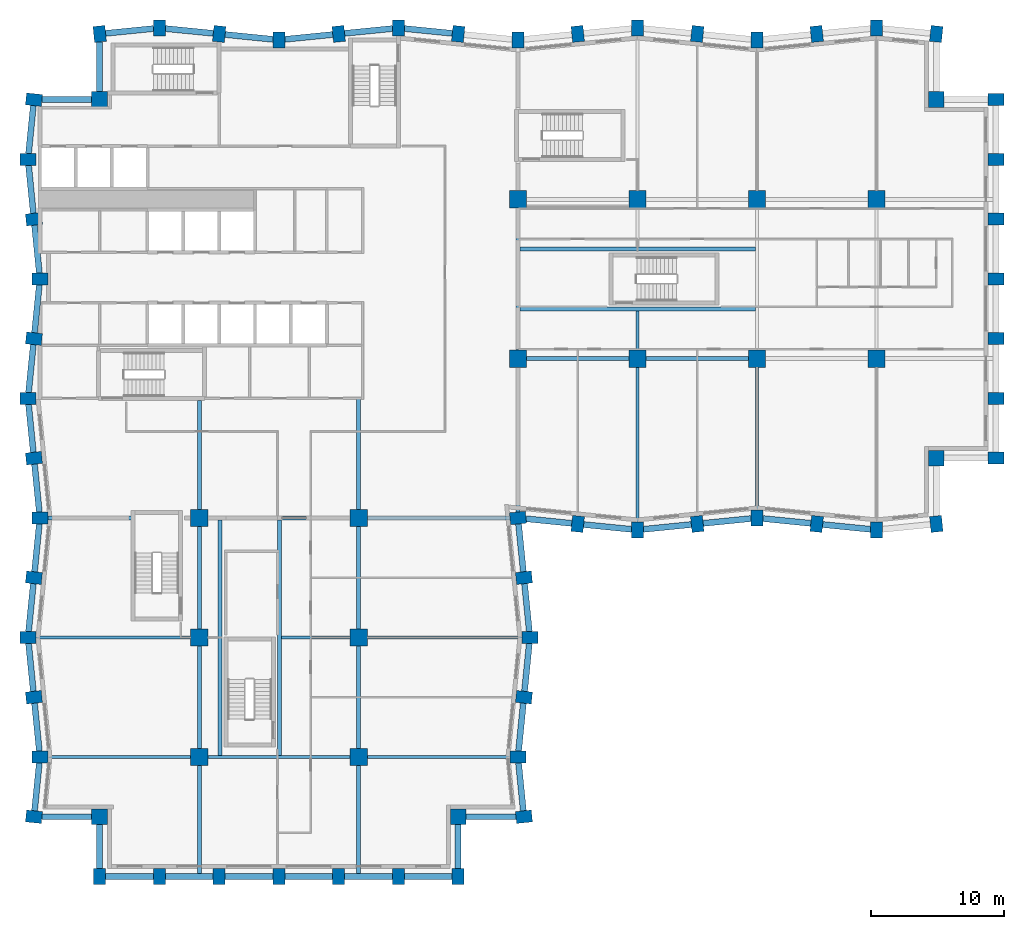
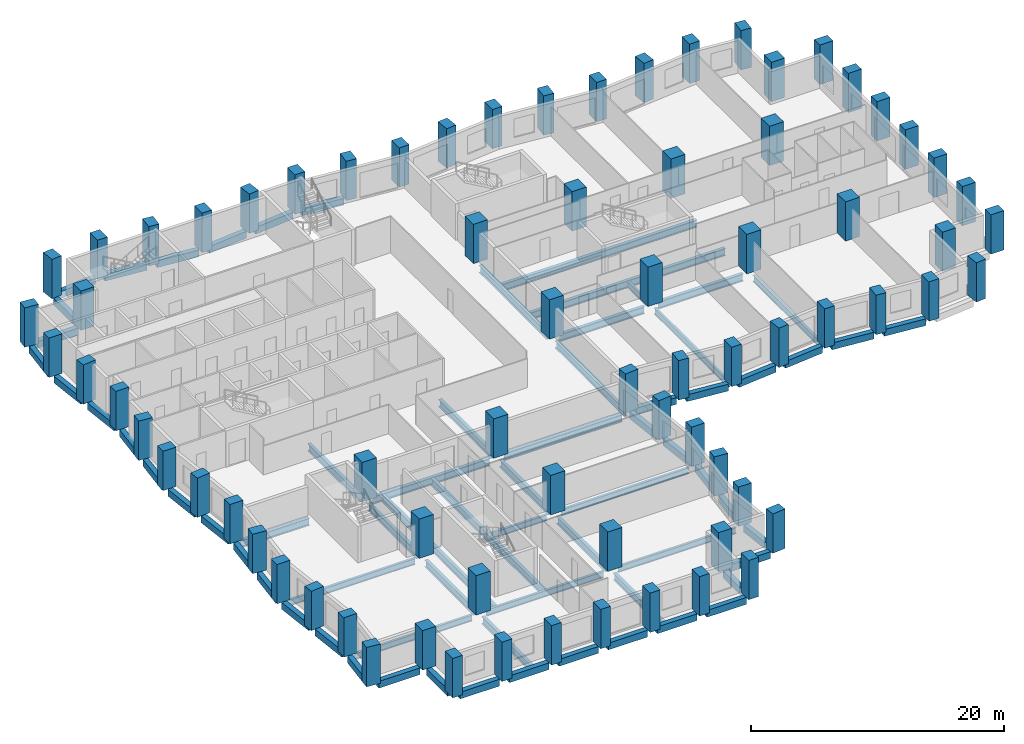
# One storey, part 1 of 11: 74 columns, 69 beams.
"""IFC4 building model written with IfcOpenShell, lengths in metres."""

from ifc_helpers import new_model, si_unit, direction, frame, origin, origin_2d, place, context, subcontext, project, spatial, rectangle, i_section, extrude, material, material_profile, profile_set, type_object, element, save


model = new_model("IFC4")

# Units and contexts
model_context = context("Model", 3, precision=1e-05, world=origin(), true_north=direction((0.0, 1.0)))
body_context = subcontext(model_context, "Body", "Model", "MODEL_VIEW")
ifc_project = project(units=[si_unit("LENGTHUNIT", "METRE"), si_unit("AREAUNIT", "SQUARE_METRE"), si_unit("VOLUMEUNIT", "CUBIC_METRE"), si_unit("PLANEANGLEUNIT", "RADIAN"), si_unit("MASSUNIT", "GRAM", prefix="KILO")], contexts=[model_context])

# Site, building, storey
site_placement = place(None, origin())
site = spatial("IfcSite", under=ifc_project, at=site_placement, CompositionType="ELEMENT")
building_placement = place(site_placement, origin())
building = spatial("IfcBuilding", under=site, at=building_placement, Name="Brondeck Convention Tower", CompositionType="ELEMENT")
storey_placement = place(building_placement, frame((0.0, 0.0, 126.5)))
storey = spatial("IfcBuildingStorey", under=building, at=storey_placement, Name="L30", CompositionType="ELEMENT", Elevation=126.5)

# Columns
ifc_material_1 = material(Name="Concrete C70/85", Category="concrete")
ifc_material_profile_1 = material_profile(ifc_material_1, rectangle(XDim=1.199951171875, YDim=1.199951171875, at=origin_2d()), Name="Corner column 1200x1200 Concrete C70/85")
ifc_profile_set_1 = profile_set([ifc_material_profile_1], Name="Concrete C70/85")
column_type_1 = type_object("IfcColumnType", Name="Corner column 1200x1200 Concrete C70/85", PredefinedType="COLUMN", material=ifc_profile_set_1)
for number, where, z_axis, x_axis, name in (
    (1, (4.5, 4.5, 0.0), (0.0, 0.0, 1.0), (1.0, 0.0, 0.0), "STR-COL-L30-NC-SWB0"),
    (2, (31.5, 4.5, 0.0), (0.0, 0.0, 1.0), (1.0, 0.0, 0.0), "STR-COL-L30-NC-SEB0"),
    (3, (67.5, 31.5, 0.0), (0.0, 0.0, 1.0), (1.0, 0.0, 0.0), "STR-COL-L30-NC-SEA72"),
    (4, (67.5, 58.5, 0.0), (0.0, 0.0, 1.0), (1.0, 0.0, 0.0), "STR-COL-L30-NC-NEA72"),
    (5, (4.5, 58.5, 0.0), (0.0, 0.0, 1.0), (1.0, 0.0, 0.0), "STR-COL-L30-NC-NW"),
):
    element("IfcColumn", number, at=place(storey_placement, frame(where, z_axis=z_axis, x_axis=x_axis)), inside=storey, type_object=column_type_1, Name=name, PredefinedType="COLUMN", context=body_context, shape_type="SweptSolid", body=[
        extrude(rectangle(XDim=1.199951171875, YDim=1.199951171875, at=origin_2d()), origin(), (0.0, 0.0, 1.0), 3.800048828125),
    ])
ifc_material_profile_2 = material_profile(ifc_material_1, rectangle(XDim=1.300048828125, YDim=1.300048828125, at=origin_2d()), Name="Interior column 1300x1300 Concrete C70/85")
ifc_profile_set_2 = profile_set([ifc_material_profile_2], Name="Concrete C70/85")
column_type_2 = type_object("IfcColumnType", Name="Interior column 1300x1300 Concrete C70/85", PredefinedType="COLUMN", material=ifc_profile_set_2)
for number, where, z_axis, x_axis, name in (
    (6, (12.0, 9.0, 0.0), (0.0, 0.0, 1.0), (1.0, 0.0, 0.0), "STR-COL-L30-IC-01"),
    (7, (12.0, 18.0, 0.0), (0.0, 0.0, 1.0), (1.0, 0.0, 0.0), "STR-COL-L30-IC-02"),
    (8, (12.0, 27.0, 0.0), (0.0, 0.0, 1.0), (1.0, 0.0, 0.0), "STR-COL-L30-IC-03"),
    (9, (24.0, 9.0, 0.0), (0.0, 0.0, 1.0), (1.0, 0.0, 0.0), "STR-COL-L30-IC-04"),
    (10, (24.0, 18.0, 0.0), (0.0, 0.0, 1.0), (1.0, 0.0, 0.0), "STR-COL-L30-IC-05"),
    (11, (24.0, 27.0, 0.0), (0.0, 0.0, 1.0), (1.0, 0.0, 0.0), "STR-COL-L30-IC-06"),
    (12, (36.0, 39.0, 0.0), (0.0, 0.0, 1.0), (1.0, 0.0, 0.0), "STR-COL-L30-IC-07"),
    (13, (36.0, 51.0, 0.0), (0.0, 0.0, 1.0), (1.0, 0.0, 0.0), "STR-COL-L30-IC-08"),
    (14, (45.0, 39.0, 0.0), (0.0, 0.0, 1.0), (1.0, 0.0, 0.0), "STR-COL-L30-IC-09"),
    (15, (45.0, 51.0, 0.0), (0.0, 0.0, 1.0), (1.0, 0.0, 0.0), "STR-COL-L30-IC-10"),
    (16, (54.0, 39.0, 0.0), (0.0, 0.0, 1.0), (1.0, 0.0, 0.0), "STR-COL-L30-IC-11"),
    (17, (54.0, 51.0, 0.0), (0.0, 0.0, 1.0), (1.0, 0.0, 0.0), "STR-COL-L30-IC-12"),
    (18, (63.0, 39.0, 0.0), (0.0, 0.0, 1.0), (1.0, 0.0, 0.0), "STR-COL-L30-IC-13"),
    (19, (63.0, 51.0, 0.0), (0.0, 0.0, 1.0), (1.0, 0.0, 0.0), "STR-COL-L30-IC-14"),
):
    element("IfcColumn", number, at=place(storey_placement, frame(where, z_axis=z_axis, x_axis=x_axis)), inside=storey, type_object=column_type_2, Name=name, PredefinedType="COLUMN", context=body_context, shape_type="SweptSolid", body=[
        extrude(rectangle(XDim=1.300048828125, YDim=1.300048828125, at=origin_2d()), origin(), (0.0, 0.0, 1.0), 3.800048828125),
    ])
ifc_material_profile_3 = material_profile(ifc_material_1, rectangle(XDim=0.89990234375, YDim=1.199951171875, at=origin_2d()), Name="Perimeter pier 900x1200 Concrete C70/85")
ifc_profile_set_3 = profile_set([ifc_material_profile_3], Name="Concrete C70/85")
column_type_3 = type_object("IfcColumnType", Name="Perimeter pier 900x1200 Concrete C70/85", PredefinedType="COLUMN", material=ifc_profile_set_3)
for number, where, z_axis, x_axis, name in (
    (20, (4.5, 0.0, 0.0), (0.0, 0.0, 1.0), (1.0, 0.0, 0.0), "STR-COL-L30-PC-B-S0-01"),
    (21, (9.0, 0.0, 0.0), (0.0, 0.0, 1.0), (1.0, 0.0, 0.0), "STR-COL-L30-PC-B-S0-02"),
    (22, (13.5, 0.0, 0.0), (0.0, 0.0, 1.0), (1.0, 0.0, 0.0), "STR-COL-L30-PC-B-S0-03"),
    (23, (18.0, 0.0, 0.0), (0.0, 0.0, 1.0), (1.0, 0.0, 0.0), "STR-COL-L30-PC-B-S0-04"),
    (24, (22.5, 0.0, 0.0), (0.0, 0.0, 1.0), (1.0, 0.0, 0.0), "STR-COL-L30-PC-B-S0-05"),
    (25, (27.0, 0.0, 0.0), (0.0, 0.0, 1.0), (1.0, 0.0, 0.0), "STR-COL-L30-PC-B-S0-06"),
    (26, (31.5, 0.0, 0.0), (0.0, 0.0, 1.0), (1.0, 0.0, 0.0), "STR-COL-L30-PC-B-S0-07"),
    (27, (36.449951171875, 4.5, 0.0), (0.0, 0.0, 1.0), (-0.0995038382, 0.995037178292, 0.0), "STR-COL-L30-PC-B-E-05"),
    (28, (36.0, 9.0, 0.0), (0.0, 0.0, 1.0), (0.0, 1.0, 0.0), "STR-COL-L30-PC-B-E-04"),
    (29, (36.449951171875, 13.5, 0.0), (0.0, 0.0, 1.0), (0.0995038382, 0.995037178292, 0.0), "STR-COL-L30-PC-B-E-03"),
    (30, (36.89990234375, 18.0, 0.0), (0.0, 0.0, 1.0), (0.0, 1.0, 0.0), "STR-COL-L30-PC-B-E-02"),
    (31, (36.449951171875, 22.5, 0.0), (0.0, 0.0, 1.0), (-0.0995038382, 0.995037178292, 0.0), "STR-COL-L30-PC-B-E-01"),
    (32, (36.0, 27.0, 0.0), (0.0, 0.0, 1.0), (-0.0995038382, 0.995037178292, 0.0), "STR-COL-L30-PC-B-E-00"),
    (33, (40.5, 26.550048828125, 0.0), (0.0, 0.0, 1.0), (0.995037178292, -0.0995038382, 0.0), "STR-COL-L30-PC-A-S-01"),
    (34, (45.0, 26.10009765625, 0.0), (0.0, 0.0, 1.0), (1.0, 0.0, 0.0), "STR-COL-L30-PC-A-S-02"),
    (35, (49.5, 26.550048828125, 0.0), (0.0, 0.0, 1.0), (0.995037178292, 0.0995038382, 0.0), "STR-COL-L30-PC-A-S-03"),
    (36, (54.0, 27.0, 0.0), (0.0, 0.0, 1.0), (1.0, 0.0, 0.0), "STR-COL-L30-PC-A-S-04"),
    (37, (58.5, 26.550048828125, 0.0), (0.0, 0.0, 1.0), (0.995037178292, -0.0995038382, 0.0), "STR-COL-L30-PC-A-S-05"),
    (38, (63.0, 26.10009765625, 0.0), (0.0, 0.0, 1.0), (1.0, 0.0, 0.0), "STR-COL-L30-PC-A-S-06"),
    (39, (67.5, 26.550048828125, 0.0), (0.0, 0.0, 1.0), (0.995037178292, 0.0995038382, 0.0), "STR-COL-L30-PC-A-S-07"),
    (40, (72.0, 31.5, 0.0), (0.0, 0.0, 1.0), (0.0, 1.0, 0.0), "STR-COL-L30-PC-A-E72-01"),
    (41, (72.0, 36.0, 0.0), (0.0, 0.0, 1.0), (0.0, 1.0, 0.0), "STR-COL-L30-PC-A-E72-02"),
    (42, (72.0, 40.5, 0.0), (0.0, 0.0, 1.0), (0.0, 1.0, 0.0), "STR-COL-L30-PC-A-E72-03"),
    (43, (72.0, 45.0, 0.0), (0.0, 0.0, 1.0), (0.0, 1.0, 0.0), "STR-COL-L30-PC-A-E72-04"),
    (44, (72.0, 49.5, 0.0), (0.0, 0.0, 1.0), (0.0, 1.0, 0.0), "STR-COL-L30-PC-A-E72-05"),
    (45, (72.0, 54.0, 0.0), (0.0, 0.0, 1.0), (0.0, 1.0, 0.0), "STR-COL-L30-PC-A-E72-06"),
    (46, (72.0, 58.5, 0.0), (0.0, 0.0, 1.0), (0.0, 1.0, 0.0), "STR-COL-L30-PC-A-E72-07"),
    (47, (67.5, 63.449951171875, 0.0), (0.0, 0.0, 1.0), (-0.995037178292, 0.0995038382, 0.0), "STR-COL-L30-PC-A-N-15"),
    (48, (63.0, 63.89990234375, 0.0), (0.0, 0.0, 1.0), (-1.0, 0.0, 0.0), "STR-COL-L30-PC-A-N-14"),
    (49, (58.5, 63.449951171875, 0.0), (0.0, 0.0, 1.0), (-0.995037178292, -0.0995038382, 0.0), "STR-COL-L30-PC-A-N-13"),
    (50, (54.0, 63.0, 0.0), (0.0, 0.0, 1.0), (-1.0, 0.0, 0.0), "STR-COL-L30-PC-A-N-12"),
    (51, (49.5, 63.449951171875, 0.0), (0.0, 0.0, 1.0), (-0.995037178292, 0.0995038382, 0.0), "STR-COL-L30-PC-A-N-11"),
    (52, (45.0, 63.89990234375, 0.0), (0.0, 0.0, 1.0), (-1.0, 0.0, 0.0), "STR-COL-L30-PC-A-N-10"),
    (53, (40.5, 63.449951171875, 0.0), (0.0, 0.0, 1.0), (-0.995037178292, -0.0995038382, 0.0), "STR-COL-L30-PC-A-N-09"),
    (54, (36.0, 63.0, 0.0), (0.0, 0.0, 1.0), (-1.0, 0.0, 0.0), "STR-COL-L30-PC-A-N-08"),
    (55, (31.5, 63.449951171875, 0.0), (0.0, 0.0, 1.0), (-0.995037178292, 0.0995038382, 0.0), "STR-COL-L30-PC-A-N-07"),
    (56, (27.0, 63.89990234375, 0.0), (0.0, 0.0, 1.0), (-1.0, 0.0, 0.0), "STR-COL-L30-PC-A-N-06"),
    (57, (22.5, 63.449951171875, 0.0), (0.0, 0.0, 1.0), (-0.995037178292, -0.0995038382, 0.0), "STR-COL-L30-PC-A-N-05"),
    (58, (18.0, 63.0, 0.0), (0.0, 0.0, 1.0), (-1.0, 0.0, 0.0), "STR-COL-L30-PC-A-N-04"),
    (59, (13.5, 63.449951171875, 0.0), (0.0, 0.0, 1.0), (-0.995037178292, 0.0995038382, 0.0), "STR-COL-L30-PC-A-N-03"),
    (60, (9.0, 63.89990234375, 0.0), (0.0, 0.0, 1.0), (-1.0, 0.0, 0.0), "STR-COL-L30-PC-A-N-02"),
    (61, (4.5, 63.449951171875, 0.0), (0.0, 0.0, 1.0), (-0.995037178292, -0.0995038382, 0.0), "STR-COL-L30-PC-A-N-01"),
    (62, (-0.449951171875, 58.5, 0.0), (0.0, 0.0, 1.0), (-0.0995038382, -0.995037178292, 0.0), "STR-COL-L30-PC-B-W-01"),
    (63, (-0.89990234375, 54.0, 0.0), (0.0, 0.0, 1.0), (0.0, -1.0, 0.0), "STR-COL-L30-PC-B-W-02"),
    (64, (-0.449951171875, 49.5, 0.0), (0.0, 0.0, 1.0), (0.0995038382, -0.995037178292, 0.0), "STR-COL-L30-PC-B-W-03"),
    (65, (0.0, 45.0, 0.0), (0.0, 0.0, 1.0), (0.0, -1.0, 0.0), "STR-COL-L30-PC-B-W-04"),
    (66, (-0.449951171875, 40.5, 0.0), (0.0, 0.0, 1.0), (-0.0995038382, -0.995037178292, 0.0), "STR-COL-L30-PC-B-W-05"),
    (67, (-0.89990234375, 36.0, 0.0), (0.0, 0.0, 1.0), (0.0, -1.0, 0.0), "STR-COL-L30-PC-B-W-06"),
    (68, (-0.449951171875, 31.5, 0.0), (0.0, 0.0, 1.0), (0.0995038382, -0.995037178292, 0.0), "STR-COL-L30-PC-B-W-07"),
    (69, (0.0, 27.0, 0.0), (0.0, 0.0, 1.0), (0.0, -1.0, 0.0), "STR-COL-L30-PC-B-W-08"),
    (70, (-0.449951171875, 22.5, 0.0), (0.0, 0.0, 1.0), (-0.0995038382, -0.995037178292, 0.0), "STR-COL-L30-PC-B-W-09"),
    (71, (-0.89990234375, 18.0, 0.0), (0.0, 0.0, 1.0), (0.0, -1.0, 0.0), "STR-COL-L30-PC-B-W-10"),
    (72, (-0.449951171875, 13.5, 0.0), (0.0, 0.0, 1.0), (0.0995038382, -0.995037178292, 0.0), "STR-COL-L30-PC-B-W-11"),
    (73, (0.0, 9.0, 0.0), (0.0, 0.0, 1.0), (0.0, -1.0, 0.0), "STR-COL-L30-PC-B-W-12"),
    (74, (-0.449951171875, 4.5, 0.0), (0.0, 0.0, 1.0), (-0.0995038382, -0.995037178292, 0.0), "STR-COL-L30-PC-B-W-13"),
):
    element("IfcColumn", number, at=place(storey_placement, frame(where, z_axis=z_axis, x_axis=x_axis)), inside=storey, type_object=column_type_3, Name=name, PredefinedType="COLUMN", context=body_context, shape_type="SweptSolid", body=[
        extrude(rectangle(XDim=0.89990234375, YDim=1.199951171875, at=origin_2d()), origin(), (0.0, 0.0, 1.0), 3.800048828125),
    ])

# Beams
ifc_material_2 = material(Name="Steel S355", Category="steel")
ifc_material_profile_4 = material_profile(ifc_material_2, i_section(OverallWidth=0.219970703125, OverallDepth=0.60009765625, WebThickness=0.011962890625, FlangeThickness=0.01904296875, FilletRadius=0.02392578125, at=origin_2d()), Name="IPE 600")
ifc_profile_set_4 = profile_set([ifc_material_profile_4], Name="Steel S355")
beam_type_1 = type_object("IfcBeamType", Name="Floor beam IPE 600", PredefinedType="BEAM", material=ifc_profile_set_4)
beam_1_placement = place(storey_placement, frame((45.0, 26.699951171875, -0.60009765625), z_axis=(0.0, 1.0, 0.0), x_axis=(-1.0, 0.0, 0.0)))
element("IfcBeam", 75, at=beam_1_placement, inside=storey, type_object=beam_type_1, Name="STR-FB-L30-001", PredefinedType="BEAM", context=body_context, shape_type="SweptSolid", body=[
    extrude(i_section(OverallWidth=0.219970703125, OverallDepth=0.60009765625, WebThickness=0.011962890625, FlangeThickness=0.01904296875, FilletRadius=0.02392578125, at=origin_2d()), origin(), (0.0, 0.0, 1.0), 11.650146484375),
])
for number, where, z_axis, x_axis, name in (
    (76, (54.0, 27.60009765625, -0.60009765625), (0.0, 1.0, 0.0), (-1.0, 0.0, 0.0), "STR-FB-L30-003"),
    (77, (0.60009765625, 9.0, -0.60009765625), (1.0, 0.0, 0.0), (0.0, 1.0, 0.0), "STR-FB-L30-009"),
):
    element("IfcBeam", number, at=place(storey_placement, frame(where, z_axis=z_axis, x_axis=x_axis)), inside=storey, type_object=beam_type_1, Name=name, PredefinedType="BEAM", context=body_context, shape_type="SweptSolid", body=[
        extrude(i_section(OverallWidth=0.219970703125, OverallDepth=0.60009765625, WebThickness=0.011962890625, FlangeThickness=0.01904296875, FilletRadius=0.02392578125, at=origin_2d()), origin(), (0.0, 0.0, 1.0), 10.75),
    ])
beam_2_placement = place(storey_placement, frame((12.64990234375, 9.0, -0.60009765625), z_axis=(1.0, 0.0, 0.0), x_axis=(0.0, 1.0, 0.0)))
element("IfcBeam", 78, at=beam_2_placement, inside=storey, type_object=beam_type_1, Name="STR-FB-L30-010", PredefinedType="BEAM", context=body_context, shape_type="SweptSolid", body=[
    extrude(i_section(OverallWidth=0.219970703125, OverallDepth=0.60009765625, WebThickness=0.011962890625, FlangeThickness=0.01904296875, FilletRadius=0.02392578125, at=origin_2d()), origin(), (0.0, 0.0, 1.0), 10.7001953125),
])
beam_3_placement = place(storey_placement, frame((24.64990234375, 9.0, -0.60009765625), z_axis=(1.0, 0.0, 0.0), x_axis=(0.0, 1.0, 0.0)))
element("IfcBeam", 79, at=beam_3_placement, inside=storey, type_object=beam_type_1, Name="STR-FB-L30-011", PredefinedType="BEAM", context=body_context, shape_type="SweptSolid", body=[
    extrude(i_section(OverallWidth=0.219970703125, OverallDepth=0.60009765625, WebThickness=0.011962890625, FlangeThickness=0.01904296875, FilletRadius=0.02392578125, at=origin_2d()), origin(), (0.0, 0.0, 1.0), 10.75),
])
for number, where, z_axis, x_axis, name in (
    (80, (-0.300048828125, 18.0, -0.60009765625), (1.0, 0.0, 0.0), (0.0, 1.0, 0.0), "STR-FB-L30-012"),
    (81, (24.64990234375, 18.0, -0.60009765625), (1.0, 0.0, 0.0), (0.0, 1.0, 0.0), "STR-FB-L30-013"),
):
    element("IfcBeam", number, at=place(storey_placement, frame(where, z_axis=z_axis, x_axis=x_axis)), inside=storey, type_object=beam_type_1, Name=name, PredefinedType="BEAM", context=body_context, shape_type="SweptSolid", body=[
        extrude(i_section(OverallWidth=0.219970703125, OverallDepth=0.60009765625, WebThickness=0.011962890625, FlangeThickness=0.01904296875, FilletRadius=0.02392578125, at=origin_2d()), origin(), (0.0, 0.0, 1.0), 11.650146484375),
    ])
beam_4_placement = place(storey_placement, frame((45.0, 39.64990234375, -0.60009765625), z_axis=(0.0, 1.0, 0.0), x_axis=(-1.0, 0.0, 0.0)))
element("IfcBeam", 82, at=beam_4_placement, inside=storey, type_object=beam_type_1, Name="STR-FB-L30-014", PredefinedType="BEAM", context=body_context, shape_type="SweptSolid", body=[
    extrude(i_section(OverallWidth=0.219970703125, OverallDepth=0.60009765625, WebThickness=0.011962890625, FlangeThickness=0.01904296875, FilletRadius=0.02392578125, at=origin_2d()), origin(), (0.0, 0.0, 1.0), 2.9501953125),
])
beam_5_placement = place(storey_placement, frame((18.199951171875, 18.0, -0.60009765625), z_axis=(1.0, 0.0, 0.0), x_axis=(0.0, 1.0, 0.0)))
element("IfcBeam", 83, at=beam_5_placement, inside=storey, type_object=beam_type_1, Name="STR-FB-L30-016", PredefinedType="BEAM", context=body_context, shape_type="SweptSolid", body=[
    extrude(i_section(OverallWidth=0.219970703125, OverallDepth=0.60009765625, WebThickness=0.011962890625, FlangeThickness=0.01904296875, FilletRadius=0.02392578125, at=origin_2d()), origin(), (0.0, 0.0, 1.0), 5.150146484375),
])
ifc_material_profile_5 = material_profile(ifc_material_2, i_section(OverallWidth=0.300048828125, OverallDepth=0.699951171875, WebThickness=0.01708984375, FlangeThickness=0.031982421875, FilletRadius=0.027099609375, at=origin_2d()), Name="HEB 700")
ifc_profile_set_5 = profile_set([ifc_material_profile_5], Name="Steel S355")
beam_type_2 = type_object("IfcBeamType", Name="Girder HEB 700", PredefinedType="BEAM", material=ifc_profile_set_5)
for number, where, z_axis, x_axis, name in (
    (84, (36.64990234375, 39.0, -0.64990234375), (1.0, 0.0, 0.0), (0.0, 1.0, 0.0), "STR-GR-L30-001"),
    (85, (45.64990234375, 39.0, -0.64990234375), (1.0, 0.0, 0.0), (0.0, 1.0, 0.0), "STR-GR-L30-002"),
):
    element("IfcBeam", number, at=place(storey_placement, frame(where, z_axis=z_axis, x_axis=x_axis)), inside=storey, type_object=beam_type_2, Name=name, PredefinedType="BEAM", context=body_context, shape_type="SweptSolid", body=[
        extrude(i_section(OverallWidth=0.300048828125, OverallDepth=0.699951171875, WebThickness=0.01708984375, FlangeThickness=0.031982421875, FilletRadius=0.027099609375, at=origin_2d()), origin(), (0.0, 0.0, 1.0), 7.7001953125),
    ])
beam_6_placement = place(storey_placement, frame((36.0, 27.4521484375, -0.64990234375), z_axis=(0.0, 1.0, 0.0), x_axis=(-1.0, 0.0, 0.0)))
element("IfcBeam", 86, at=beam_6_placement, inside=storey, type_object=beam_type_2, Name="STR-GR-L30-009", PredefinedType="BEAM", context=body_context, shape_type="SweptSolid", body=[
    extrude(i_section(OverallWidth=0.300048828125, OverallDepth=0.699951171875, WebThickness=0.01708984375, FlangeThickness=0.031982421875, FilletRadius=0.027099609375, at=origin_2d()), origin(), (0.0, 0.0, 1.0), 10.89794921875),
])
beam_7_placement = place(storey_placement, frame((36.0, 39.64990234375, -0.64990234375), z_axis=(0.0, 1.0, 0.0), x_axis=(-1.0, 0.0, 0.0)))
element("IfcBeam", 87, at=beam_7_placement, inside=storey, type_object=beam_type_2, Name="STR-GR-L30-010", PredefinedType="BEAM", context=body_context, shape_type="SweptSolid", body=[
    extrude(i_section(OverallWidth=0.300048828125, OverallDepth=0.699951171875, WebThickness=0.01708984375, FlangeThickness=0.031982421875, FilletRadius=0.027099609375, at=origin_2d()), origin(), (0.0, 0.0, 1.0), 10.7001953125),
])
beam_8_placement = place(storey_placement, frame((12.0, 35.85009765625, -0.64990234375), z_axis=(0.0, -1.0, 0.0), x_axis=(1.0, 0.0, 0.0)))
element("IfcBeam", 88, at=beam_8_placement, inside=storey, type_object=beam_type_2, Name="STR-GR-L30-013", PredefinedType="BEAM", context=body_context, shape_type="SweptSolid", body=[
    extrude(i_section(OverallWidth=0.300048828125, OverallDepth=0.699951171875, WebThickness=0.01708984375, FlangeThickness=0.031982421875, FilletRadius=0.027099609375, at=origin_2d()), origin(), (0.0, 0.0, 1.0), 8.2001953125),
])
for number, where, z_axis, x_axis, name in (
    (89, (12.0, 26.35009765625, -0.64990234375), (0.0, -1.0, 0.0), (1.0, 0.0, 0.0), "STR-GR-L30-014"),
    (90, (12.0, 17.35009765625, -0.64990234375), (0.0, -1.0, 0.0), (1.0, 0.0, 0.0), "STR-GR-L30-015"),
):
    element("IfcBeam", number, at=place(storey_placement, frame(where, z_axis=z_axis, x_axis=x_axis)), inside=storey, type_object=beam_type_2, Name=name, PredefinedType="BEAM", context=body_context, shape_type="SweptSolid", body=[
        extrude(i_section(OverallWidth=0.300048828125, OverallDepth=0.699951171875, WebThickness=0.01708984375, FlangeThickness=0.031982421875, FilletRadius=0.027099609375, at=origin_2d()), origin(), (0.0, 0.0, 1.0), 7.7001953125),
    ])
beam_9_placement = place(storey_placement, frame((12.0, 8.35009765625, -0.64990234375), z_axis=(0.0, -1.0, 0.0), x_axis=(1.0, 0.0, 0.0)))
element("IfcBeam", 91, at=beam_9_placement, inside=storey, type_object=beam_type_2, Name="STR-GR-L30-016", PredefinedType="BEAM", context=body_context, shape_type="SweptSolid", body=[
    extrude(i_section(OverallWidth=0.300048828125, OverallDepth=0.699951171875, WebThickness=0.01708984375, FlangeThickness=0.031982421875, FilletRadius=0.027099609375, at=origin_2d()), origin(), (0.0, 0.0, 1.0), 8.125),
])
beam_10_placement = place(storey_placement, frame((24.0, 35.955078125, -0.64990234375), z_axis=(0.0, -1.0, 0.0), x_axis=(1.0, 0.0, 0.0)))
element("IfcBeam", 92, at=beam_10_placement, inside=storey, type_object=beam_type_2, Name="STR-GR-L30-017", PredefinedType="BEAM", context=body_context, shape_type="SweptSolid", body=[
    extrude(i_section(OverallWidth=0.300048828125, OverallDepth=0.699951171875, WebThickness=0.01708984375, FlangeThickness=0.031982421875, FilletRadius=0.027099609375, at=origin_2d()), origin(), (0.0, 0.0, 1.0), 8.30517578125),
])
for number, where, z_axis, x_axis, name in (
    (93, (24.0, 26.35009765625, -0.64990234375), (0.0, -1.0, 0.0), (1.0, 0.0, 0.0), "STR-GR-L30-018"),
    (94, (24.0, 17.35009765625, -0.64990234375), (0.0, -1.0, 0.0), (1.0, 0.0, 0.0), "STR-GR-L30-019"),
):
    element("IfcBeam", number, at=place(storey_placement, frame(where, z_axis=z_axis, x_axis=x_axis)), inside=storey, type_object=beam_type_2, Name=name, PredefinedType="BEAM", context=body_context, shape_type="SweptSolid", body=[
        extrude(i_section(OverallWidth=0.300048828125, OverallDepth=0.699951171875, WebThickness=0.01708984375, FlangeThickness=0.031982421875, FilletRadius=0.027099609375, at=origin_2d()), origin(), (0.0, 0.0, 1.0), 7.7001953125),
    ])
beam_11_placement = place(storey_placement, frame((24.0, 8.35009765625, -0.64990234375), z_axis=(0.0, -1.0, 0.0), x_axis=(1.0, 0.0, 0.0)))
element("IfcBeam", 95, at=beam_11_placement, inside=storey, type_object=beam_type_2, Name="STR-GR-L30-020", PredefinedType="BEAM", context=body_context, shape_type="SweptSolid", body=[
    extrude(i_section(OverallWidth=0.300048828125, OverallDepth=0.699951171875, WebThickness=0.01708984375, FlangeThickness=0.031982421875, FilletRadius=0.027099609375, at=origin_2d()), origin(), (0.0, 0.0, 1.0), 8.125),
])
beam_12_placement = place(storey_placement, frame((0.60009765625, 27.0, -0.64990234375), z_axis=(1.0, 0.0, 0.0), x_axis=(0.0, 1.0, 0.0)))
element("IfcBeam", 96, at=beam_12_placement, inside=storey, type_object=beam_type_2, Name="STR-GR-L30-021", PredefinedType="BEAM", context=body_context, shape_type="SweptSolid", body=[
    extrude(i_section(OverallWidth=0.300048828125, OverallDepth=0.699951171875, WebThickness=0.01708984375, FlangeThickness=0.031982421875, FilletRadius=0.027099609375, at=origin_2d()), origin(), (0.0, 0.0, 1.0), 6.27978515625),
])
beam_13_placement = place(storey_placement, frame((12.64990234375, 27.0, -0.64990234375), z_axis=(1.0, 0.0, 0.0), x_axis=(0.0, 1.0, 0.0)))
element("IfcBeam", 97, at=beam_13_placement, inside=storey, type_object=beam_type_2, Name="STR-GR-L30-022", PredefinedType="BEAM", context=body_context, shape_type="SweptSolid", body=[
    extrude(i_section(OverallWidth=0.300048828125, OverallDepth=0.699951171875, WebThickness=0.01708984375, FlangeThickness=0.031982421875, FilletRadius=0.027099609375, at=origin_2d()), origin(), (0.0, 0.0, 1.0), 10.7001953125),
])
beam_14_placement = place(storey_placement, frame((24.64990234375, 27.0, -0.64990234375), z_axis=(1.0, 0.0, 0.0), x_axis=(0.0, 1.0, 0.0)))
element("IfcBeam", 98, at=beam_14_placement, inside=storey, type_object=beam_type_2, Name="STR-GR-L30-023", PredefinedType="BEAM", context=body_context, shape_type="SweptSolid", body=[
    extrude(i_section(OverallWidth=0.300048828125, OverallDepth=0.699951171875, WebThickness=0.01708984375, FlangeThickness=0.031982421875, FilletRadius=0.027099609375, at=origin_2d()), origin(), (0.0, 0.0, 1.0), 10.7470703125),
])
for number, where, z_axis, x_axis, name in (
    (99, (36.14990234375, 42.75, -0.64990234375), (1.0, 0.0, 0.0), (0.0, 1.0, 0.0), "STR-GR-L30-024"),
    (100, (36.14990234375, 47.25, -0.64990234375), (1.0, 0.0, 0.0), (0.0, 1.0, 0.0), "STR-GR-L30-025"),
    (101, (13.550048828125, 9.110107421875, -0.64990234375), (0.0, 1.0, 0.0), (-1.0, 0.0, 0.0), "STR-GR-L30-026"),
    (102, (18.050048828125, 9.110107421875, -0.64990234375), (0.0, 1.0, 0.0), (-1.0, 0.0, 0.0), "STR-GR-L30-027"),
):
    element("IfcBeam", number, at=place(storey_placement, frame(where, z_axis=z_axis, x_axis=x_axis)), inside=storey, type_object=beam_type_2, Name=name, PredefinedType="BEAM", context=body_context, shape_type="SweptSolid", body=[
        extrude(i_section(OverallWidth=0.300048828125, OverallDepth=0.699951171875, WebThickness=0.01708984375, FlangeThickness=0.031982421875, FilletRadius=0.027099609375, at=origin_2d()), origin(), (0.0, 0.0, 1.0), 17.739990234375),
    ])
ifc_material_profile_6 = material_profile(ifc_material_1, rectangle(XDim=0.449951171875, YDim=0.64990234375, at=origin_2d()), Name="Precast spandrel 450x650 Concrete C70/85")
ifc_profile_set_6 = profile_set([ifc_material_profile_6], Name="Concrete C70/85")
beam_type_3 = type_object("IfcBeamType", Name="Precast spandrel 450x650 Concrete C70/85", PredefinedType="SPANDREL", material=ifc_profile_set_6)
for number, where, z_axis, x_axis, name in (
    (103, (4.949951171875, 0.0, -0.324951171875), (1.0, 0.0, 0.0), (0.0, 1.0, 0.0), "STR-SP-L30-001"),
    (104, (9.449951171875, 0.0, -0.324951171875), (1.0, 0.0, 0.0), (0.0, 1.0, 0.0), "STR-SP-L30-002"),
    (105, (13.949951171875, 0.0, -0.324951171875), (1.0, 0.0, 0.0), (0.0, 1.0, 0.0), "STR-SP-L30-003"),
    (106, (18.449951171875, 0.0, -0.324951171875), (1.0, 0.0, 0.0), (0.0, 1.0, 0.0), "STR-SP-L30-004"),
    (107, (22.949951171875, 0.0, -0.324951171875), (1.0, 0.0, 0.0), (0.0, 1.0, 0.0), "STR-SP-L30-005"),
    (108, (27.449951171875, 0.0, -0.324951171875), (1.0, 0.0, 0.0), (0.0, 1.0, 0.0), "STR-SP-L30-006"),
):
    element("IfcBeam", number, at=place(storey_placement, frame(where, z_axis=z_axis, x_axis=x_axis)), inside=storey, type_object=beam_type_3, Name=name, PredefinedType="SPANDREL", context=body_context, shape_type="SweptSolid", body=[
        extrude(rectangle(XDim=0.449951171875, YDim=0.64990234375, at=origin_2d()), origin(), (0.0, 0.0, 1.0), 3.60009765625),
    ])
beam_15_placement = place(storey_placement, frame((31.5, 0.60009765625, -0.324951171875), z_axis=(0.0, 1.0, 0.0), x_axis=(-1.0, 0.0, 0.0)))
element("IfcBeam", 109, at=beam_15_placement, inside=storey, type_object=beam_type_3, Name="STR-SP-L30-007", PredefinedType="SPANDREL", context=body_context, shape_type="SweptSolid", body=[
    extrude(rectangle(XDim=0.449951171875, YDim=0.64990234375, at=origin_2d()), origin(), (0.0, 0.0, 1.0), 3.2998046875),
])
beam_16_placement = place(storey_placement, frame((32.10009765625, 4.5, -0.324951171875), z_axis=(1.0, 0.0, 0.0), x_axis=(0.0, 1.0, 0.0)))
element("IfcBeam", 110, at=beam_16_placement, inside=storey, type_object=beam_type_3, Name="STR-SP-L30-008", PredefinedType="SPANDREL", context=body_context, shape_type="SweptSolid", body=[
    extrude(rectangle(XDim=0.449951171875, YDim=0.64990234375, at=origin_2d()), origin(), (0.0, 0.0, 1.0), 3.746826171875),
])
for number, where, z_axis, x_axis, name in (
    (111, (36.4052734375, 4.94775390625, -0.324951171875), (-0.099537103649, 0.995033851182, 0.0), (-0.995033851182, -0.099537103649, 0.0), "STR-SP-L30-009"),
    (112, (36.044921875, 9.449951171875, -0.324951171875), (0.099537103649, 0.995033851182, 0.0), (-0.995033851182, 0.099537103649, 0.0), "STR-SP-L30-010"),
    (113, (36.494873046875, 13.94775390625, -0.324951171875), (0.099470334057, 0.995040528141, 0.0), (-0.995040528141, 0.099470334057, 0.0), "STR-SP-L30-011"),
    (114, (36.85498046875, 18.449951171875, -0.324951171875), (-0.099470334057, 0.995040528141, 0.0), (-0.995040528141, -0.099470334057, 0.0), "STR-SP-L30-012"),
):
    element("IfcBeam", number, at=place(storey_placement, frame(where, z_axis=z_axis, x_axis=x_axis)), inside=storey, type_object=beam_type_3, Name=name, PredefinedType="SPANDREL", context=body_context, shape_type="SweptSolid", body=[
        extrude(rectangle(XDim=0.449951171875, YDim=0.64990234375, at=origin_2d()), origin(), (0.0, 0.0, 1.0), 3.620361328125),
    ])
beam_17_placement = place(storey_placement, frame((36.4052734375, 22.94775390625, -0.324951171875), z_axis=(-0.099543756114, 0.995033185687, 0.0), x_axis=(-0.995033185687, -0.099543756114, 0.0)))
element("IfcBeam", 115, at=beam_17_placement, inside=storey, type_object=beam_type_3, Name="STR-SP-L30-013", PredefinedType="SPANDREL", context=body_context, shape_type="SweptSolid", body=[
    extrude(rectangle(XDim=0.449951171875, YDim=0.64990234375, at=origin_2d()), origin(), (0.0, 0.0, 1.0), 3.62255859375),
])
beam_18_placement = place(storey_placement, frame((36.609130859375, 26.939208984375, -0.324951171875), z_axis=(0.995032299082, -0.099552618167, 0.0), x_axis=(0.099552618167, 0.995032299082, 0.0)))
element("IfcBeam", 116, at=beam_18_placement, inside=storey, type_object=beam_type_3, Name="STR-SP-L30-014", PredefinedType="SPANDREL", context=body_context, shape_type="SweptSolid", body=[
    extrude(rectangle(XDim=0.449951171875, YDim=0.64990234375, at=origin_2d()), origin(), (0.0, 0.0, 1.0), 3.460205078125),
])
for number, where, z_axis, x_axis, name in (
    (117, (40.94775390625, 26.505126953125, -0.324951171875), (0.995040528141, -0.099470334057, 0.0), (0.099470334057, 0.995040528141, 0.0), "STR-SP-L30-015"),
    (118, (45.449951171875, 26.14501953125, -0.324951171875), (0.995040528141, 0.099470334057, 0.0), (-0.099470334057, 0.995040528141, 0.0), "STR-SP-L30-016"),
    (119, (49.94775390625, 26.5947265625, -0.324951171875), (0.995033851182, 0.099537103649, 0.0), (-0.099537103649, 0.995033851182, 0.0), "STR-SP-L30-017"),
    (120, (54.449951171875, 26.955078125, -0.324951171875), (0.995033851182, -0.099537103649, 0.0), (0.099537103649, 0.995033851182, 0.0), "STR-SP-L30-018"),
    (121, (58.94775390625, 26.505126953125, -0.324951171875), (0.995040528141, -0.099470334057, 0.0), (0.099470334057, 0.995040528141, 0.0), "STR-SP-L30-019"),
    (122, (31.05224609375, 63.494873046875, -0.324951171875), (-0.995040528141, 0.099470334057, 0.0), (-0.099470334057, -0.995040528141, 0.0), "STR-SP-L30-039"),
    (123, (26.550048828125, 63.85498046875, -0.324951171875), (-0.995040528141, -0.099470334057, 0.0), (0.099470334057, -0.995040528141, 0.0), "STR-SP-L30-040"),
    (124, (22.05224609375, 63.4052734375, -0.324951171875), (-0.995033851182, -0.099537103649, 0.0), (0.099537103649, -0.995033851182, 0.0), "STR-SP-L30-041"),
    (125, (17.550048828125, 63.044921875, -0.324951171875), (-0.995033851182, 0.099537103649, 0.0), (-0.099537103649, -0.995033851182, 0.0), "STR-SP-L30-042"),
    (126, (13.05224609375, 63.494873046875, -0.324951171875), (-0.995040528141, 0.099470334057, 0.0), (-0.099470334057, -0.995040528141, 0.0), "STR-SP-L30-043"),
    (127, (8.550048828125, 63.85498046875, -0.324951171875), (-0.995040528141, -0.099470334057, 0.0), (0.099470334057, -0.995040528141, 0.0), "STR-SP-L30-044"),
):
    element("IfcBeam", number, at=place(storey_placement, frame(where, z_axis=z_axis, x_axis=x_axis)), inside=storey, type_object=beam_type_3, Name=name, PredefinedType="SPANDREL", context=body_context, shape_type="SweptSolid", body=[
        extrude(rectangle(XDim=0.449951171875, YDim=0.64990234375, at=origin_2d()), origin(), (0.0, 0.0, 1.0), 3.620361328125),
    ])
for number, where, z_axis, x_axis, name in (
    (128, (4.5, 62.846923828125, -0.324951171875), (0.0, -1.0, 0.0), (1.0, 0.0, 0.0), "STR-SP-L30-045"),
    (129, (3.89990234375, 58.5, -0.324951171875), (-1.0, 0.0, 0.0), (0.0, -1.0, 0.0), "STR-SP-L30-046"),
):
    element("IfcBeam", number, at=place(storey_placement, frame(where, z_axis=z_axis, x_axis=x_axis)), inside=storey, type_object=beam_type_3, Name=name, PredefinedType="SPANDREL", context=body_context, shape_type="SweptSolid", body=[
        extrude(rectangle(XDim=0.449951171875, YDim=0.64990234375, at=origin_2d()), origin(), (0.0, 0.0, 1.0), 3.746826171875),
    ])
for number, where, z_axis, x_axis, name in (
    (130, (-0.494873046875, 58.05224609375, -0.324951171875), (-0.099470334057, -0.995040528141, 0.0), (0.995040528141, -0.099470334057, 0.0), "STR-SP-L30-047"),
    (131, (-0.85498046875, 53.550048828125, -0.324951171875), (0.099470334057, -0.995040528141, 0.0), (0.995040528141, 0.099470334057, 0.0), "STR-SP-L30-048"),
    (132, (-0.4052734375, 49.05224609375, -0.324951171875), (0.099537103649, -0.995033851182, 0.0), (0.995033851182, 0.099537103649, 0.0), "STR-SP-L30-049"),
    (133, (-0.044921875, 44.550048828125, -0.324951171875), (-0.099537103649, -0.995033851182, 0.0), (0.995033851182, -0.099537103649, 0.0), "STR-SP-L30-050"),
    (134, (-0.494873046875, 40.05224609375, -0.324951171875), (-0.099470334057, -0.995040528141, 0.0), (0.995040528141, -0.099470334057, 0.0), "STR-SP-L30-051"),
    (135, (-0.85498046875, 35.550048828125, -0.324951171875), (0.099470334057, -0.995040528141, 0.0), (0.995040528141, 0.099470334057, 0.0), "STR-SP-L30-052"),
    (136, (-0.4052734375, 31.05224609375, -0.324951171875), (0.099537103649, -0.995033851182, 0.0), (0.995033851182, 0.099537103649, 0.0), "STR-SP-L30-053"),
    (137, (-0.044921875, 26.550048828125, -0.324951171875), (-0.099537103649, -0.995033851182, 0.0), (0.995033851182, -0.099537103649, 0.0), "STR-SP-L30-054"),
    (138, (-0.494873046875, 22.05224609375, -0.324951171875), (-0.099470334057, -0.995040528141, 0.0), (0.995040528141, -0.099470334057, 0.0), "STR-SP-L30-055"),
    (139, (-0.85498046875, 17.550048828125, -0.324951171875), (0.099470334057, -0.995040528141, 0.0), (0.995040528141, 0.099470334057, 0.0), "STR-SP-L30-056"),
    (140, (-0.4052734375, 13.05224609375, -0.324951171875), (0.099537103649, -0.995033851182, 0.0), (0.995033851182, 0.099537103649, 0.0), "STR-SP-L30-057"),
    (141, (-0.044921875, 8.550048828125, -0.324951171875), (-0.099537103649, -0.995033851182, 0.0), (0.995033851182, -0.099537103649, 0.0), "STR-SP-L30-058"),
):
    element("IfcBeam", number, at=place(storey_placement, frame(where, z_axis=z_axis, x_axis=x_axis)), inside=storey, type_object=beam_type_3, Name=name, PredefinedType="SPANDREL", context=body_context, shape_type="SweptSolid", body=[
        extrude(rectangle(XDim=0.449951171875, YDim=0.64990234375, at=origin_2d()), origin(), (0.0, 0.0, 1.0), 3.620361328125),
    ])
beam_19_placement = place(storey_placement, frame((0.153076171875, 4.5, -0.324951171875), z_axis=(1.0, 0.0, 0.0), x_axis=(0.0, 1.0, 0.0)))
element("IfcBeam", 142, at=beam_19_placement, inside=storey, type_object=beam_type_3, Name="STR-SP-L30-059", PredefinedType="SPANDREL", context=body_context, shape_type="SweptSolid", body=[
    extrude(rectangle(XDim=0.449951171875, YDim=0.64990234375, at=origin_2d()), origin(), (0.0, 0.0, 1.0), 3.746826171875),
])
beam_20_placement = place(storey_placement, frame((4.5, 3.89990234375, -0.324951171875), z_axis=(0.0, -1.0, 0.0), x_axis=(1.0, 0.0, 0.0)))
element("IfcBeam", 143, at=beam_20_placement, inside=storey, type_object=beam_type_3, Name="STR-SP-L30-060", PredefinedType="SPANDREL", context=body_context, shape_type="SweptSolid", body=[
    extrude(rectangle(XDim=0.449951171875, YDim=0.64990234375, at=origin_2d()), origin(), (0.0, 0.0, 1.0), 3.2998046875),
])

save(model, "model.ifc")
